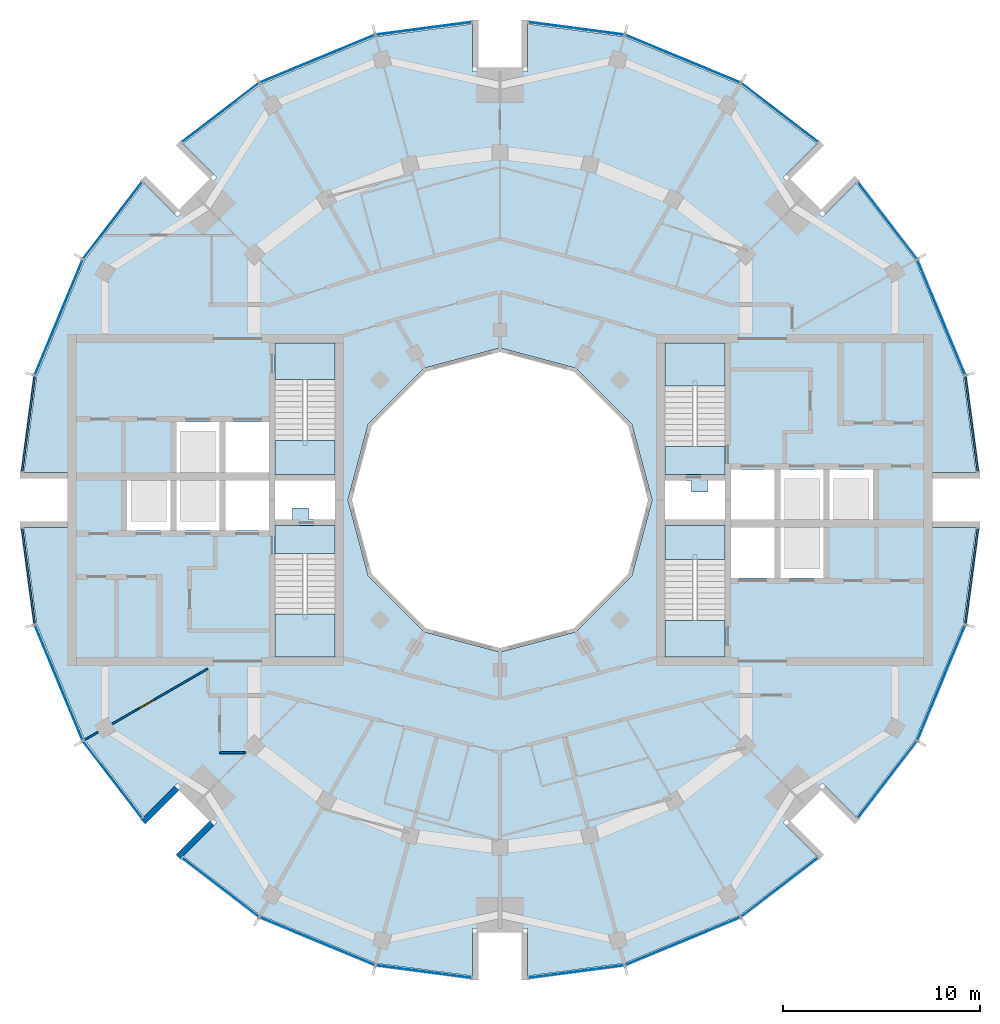
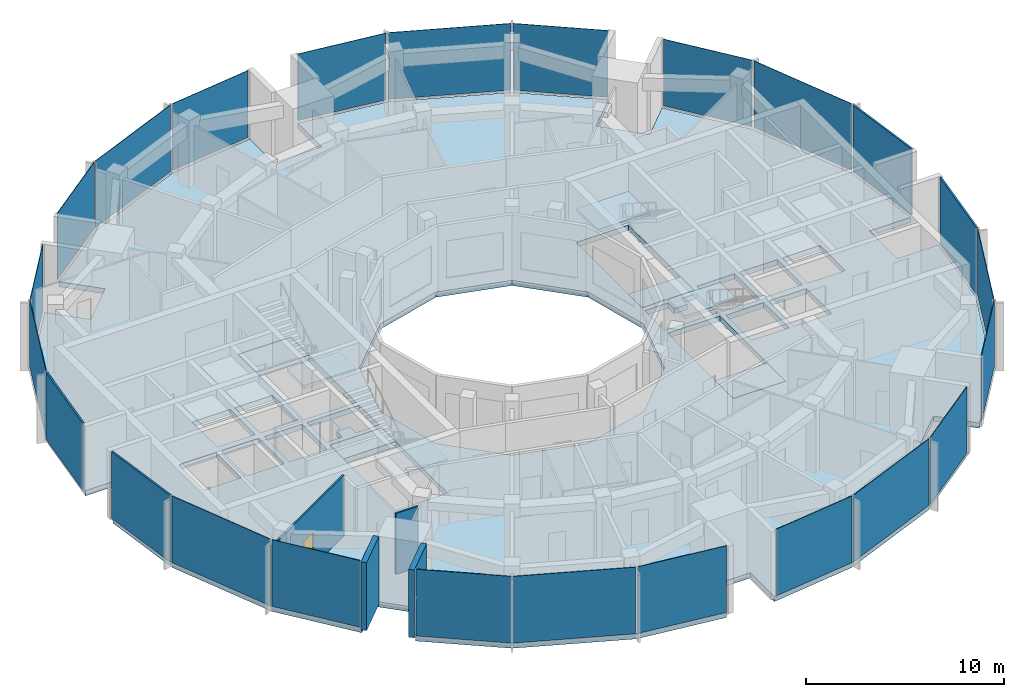
# One storey, part 7 of 15: 24 plates, 9 slabs, 4 walls, 1 door, 1 opening, 28 elements without a shape of their own.
"""IFC4 building model written with IfcOpenShell, lengths in metres."""

from ifc_helpers import new_model, si_unit, direction, frame, frame_2d, origin, origin_2d, place, context, subcontext, project, spatial, polyline, rectangle, outline, extrude, material, layer, layer_set, type_object, element, fill, aggregate, save


model = new_model("IFC4")

# Units and contexts
model_context = context("Model", 3, precision=1e-05, world=origin(), true_north=direction((0.0, 1.0)))
body_context = subcontext(model_context, "Body", "Model", "MODEL_VIEW")
ifc_project = project(units=[si_unit("LENGTHUNIT", "METRE"), si_unit("AREAUNIT", "SQUARE_METRE"), si_unit("VOLUMEUNIT", "CUBIC_METRE"), si_unit("PLANEANGLEUNIT", "RADIAN"), si_unit("MASSUNIT", "GRAM", prefix="KILO")], contexts=[model_context])

# Site, building, storey
site_placement = place(None, origin())
site = spatial("IfcSite", under=ifc_project, at=site_placement, CompositionType="ELEMENT")
building_placement = place(site_placement, origin())
building = spatial("IfcBuilding", under=site, at=building_placement, Name="Torre Brocal", CompositionType="ELEMENT")
storey_placement = place(building_placement, frame((0.0, 0.0, 284.10009765625)))
storey = spatial("IfcBuildingStorey", under=building, at=storey_placement, Name="L65", CompositionType="ELEMENT", Elevation=284.10009765625)

# Curtain wall, plate
ifc_material_1 = material(Name="Aluminium and glass", Category="aluminium")
ifc_layer_1 = layer(ifc_material_1, 0.199951171875)
ifc_layer_set_1 = layer_set([ifc_layer_1], Name="Aluminium and glass")
curtain_wall_type_1 = type_object("IfcCurtainWallType", Name="CW-1 CURTAIN WALL 4200 HIGH", PredefinedType="NOTDEFINED", material=ifc_layer_set_1)
curtain_wall_1_placement = place(storey_placement, origin())
curtain_wall_1 = element("IfcCurtainWall", 1, at=curtain_wall_1_placement, inside=storey, type_object=curtain_wall_type_1, Name="CW-1 RUN 2", PredefinedType="NOTDEFINED")
ifc_material_2 = material(Name="Glass, dark tinted laminated", Category="glass")
ifc_layer_2 = layer(ifc_material_2, 0.031982421875)
ifc_layer_set_2 = layer_set([ifc_layer_2], Name="Glass, dark tinted laminated")
plate_type_1 = type_object("IfcPlateType", Name="CW-1 GLASS PANEL 32", PredefinedType="CURTAIN_PANEL", material=ifc_layer_set_2)
plate_1_placement = place(storey_placement, frame((102.34912109375, 84.25732421875, 0.079833984375), z_axis=(0.0, 0.0, 1.0), x_axis=(-0.382683432462, 0.923879532471, 0.0)))
plate_1 = element("IfcPlate", 2, at=plate_1_placement, type_object=plate_type_1, Name="CW1-5 panel 1.1", PredefinedType="CURTAIN_PANEL", context=body_context, shape_type="SweptSolid", body=[
    extrude(rectangle(XDim=6.24951171875, YDim=0.031982421875, at=origin_2d()), origin(), (0.0, 0.0, 1.0), 4.1201171875),
])
aggregate(curtain_wall_1, [plate_1])

curtain_wall_2_placement = place(storey_placement, origin())
curtain_wall_2 = element("IfcCurtainWall", 3, at=curtain_wall_2_placement, inside=storey, type_object=curtain_wall_type_1, Name="CW-1 RUN 3", PredefinedType="NOTDEFINED")
plate_2_placement = place(storey_placement, frame((99.621337890625, 89.166015625, 0.079833984375), z_axis=(0.0, 0.0, 1.0), x_axis=(-0.608761428939, 0.793353340344, 0.0)))
plate_2 = element("IfcPlate", 4, at=plate_2_placement, type_object=plate_type_1, Name="CW1-5 panel 1.1", PredefinedType="CURTAIN_PANEL", context=body_context, shape_type="SweptSolid", body=[
    extrude(rectangle(XDim=4.83740234375, YDim=0.031982421875, at=origin_2d()), origin(), (0.0, 0.0, 1.0), 4.1201171875),
])
aggregate(curtain_wall_2, [plate_2])

curtain_wall_3_placement = place(storey_placement, origin())
curtain_wall_3 = element("IfcCurtainWall", 5, at=curtain_wall_3_placement, inside=storey, type_object=curtain_wall_type_1, Name="CW-1 RUN 4", PredefinedType="NOTDEFINED")
plate_3_placement = place(storey_placement, frame((94.166015625, 94.621337890625, 0.079833984375), z_axis=(0.0, 0.0, 1.0), x_axis=(-0.793353340344, 0.608761428939, 0.0)))
plate_3 = element("IfcPlate", 6, at=plate_3_placement, type_object=plate_type_1, Name="CW1-5 panel 1.1", PredefinedType="CURTAIN_PANEL", context=body_context, shape_type="SweptSolid", body=[
    extrude(rectangle(XDim=4.83740234375, YDim=0.031982421875, at=origin_2d()), origin(), (0.0, 0.0, 1.0), 4.1201171875),
])
aggregate(curtain_wall_3, [plate_3])

curtain_wall_4_placement = place(storey_placement, origin())
curtain_wall_4 = element("IfcCurtainWall", 7, at=curtain_wall_4_placement, inside=storey, type_object=curtain_wall_type_1, Name="CW-1 RUN 5", PredefinedType="NOTDEFINED")
plate_4_placement = place(storey_placement, frame((89.25732421875, 97.34912109375, 0.079833984375), z_axis=(0.0, 0.0, 1.0), x_axis=(-0.923879532471, 0.382683432462, 0.0)))
plate_4 = element("IfcPlate", 8, at=plate_4_placement, type_object=plate_type_1, Name="CW1-5 panel 1.1", PredefinedType="CURTAIN_PANEL", context=body_context, shape_type="SweptSolid", body=[
    extrude(rectangle(XDim=6.24951171875, YDim=0.031982421875, at=origin_2d()), origin(), (0.0, 0.0, 1.0), 4.1201171875),
])
aggregate(curtain_wall_4, [plate_4])

curtain_wall_5_placement = place(storey_placement, origin())
curtain_wall_5 = element("IfcCurtainWall", 9, at=curtain_wall_5_placement, inside=storey, type_object=curtain_wall_type_1, Name="CW-1 RUN 6", PredefinedType="NOTDEFINED")
plate_5_placement = place(storey_placement, frame((83.857421875, 98.891357421875, 0.079833984375), z_axis=(0.0, 0.0, 1.0), x_axis=(-0.991444861387, 0.130526192116, 0.0)))
plate_5 = element("IfcPlate", 10, at=plate_5_placement, type_object=plate_type_1, Name="CW1-5 panel 1.1", PredefinedType="CURTAIN_PANEL", context=body_context, shape_type="SweptSolid", body=[
    extrude(rectangle(XDim=4.83740234375, YDim=0.031982421875, at=origin_2d()), origin(), (0.0, 0.0, 1.0), 4.1201171875),
])
aggregate(curtain_wall_5, [plate_5])

curtain_wall_6_placement = place(storey_placement, origin())
curtain_wall_6 = element("IfcCurtainWall", 11, at=curtain_wall_6_placement, inside=storey, type_object=curtain_wall_type_1, Name="CW-1 RUN 7", PredefinedType="NOTDEFINED")
plate_6_placement = place(storey_placement, frame((76.142578125, 98.891357421875, 0.079833984375), z_axis=(0.0, 0.0, 1.0), x_axis=(-0.991444861387, -0.130526192116, 0.0)))
plate_6 = element("IfcPlate", 12, at=plate_6_placement, type_object=plate_type_1, Name="CW1-5 panel 1.1", PredefinedType="CURTAIN_PANEL", context=body_context, shape_type="SweptSolid", body=[
    extrude(rectangle(XDim=4.83740234375, YDim=0.031982421875, at=origin_2d()), origin(), (0.0, 0.0, 1.0), 4.1201171875),
])
aggregate(curtain_wall_6, [plate_6])

curtain_wall_7_placement = place(storey_placement, origin())
curtain_wall_7 = element("IfcCurtainWall", 13, at=curtain_wall_7_placement, inside=storey, type_object=curtain_wall_type_1, Name="CW-1 RUN 8", PredefinedType="NOTDEFINED")
plate_7_placement = place(storey_placement, frame((70.74267578125, 97.34912109375, 0.079833984375), z_axis=(0.0, 0.0, 1.0), x_axis=(-0.923879532471, -0.382683432462, 0.0)))
plate_7 = element("IfcPlate", 14, at=plate_7_placement, type_object=plate_type_1, Name="CW1-5 panel 1.1", PredefinedType="CURTAIN_PANEL", context=body_context, shape_type="SweptSolid", body=[
    extrude(rectangle(XDim=6.24951171875, YDim=0.031982421875, at=origin_2d()), origin(), (0.0, 0.0, 1.0), 4.1201171875),
])
aggregate(curtain_wall_7, [plate_7])

curtain_wall_8_placement = place(storey_placement, origin())
curtain_wall_8 = element("IfcCurtainWall", 15, at=curtain_wall_8_placement, inside=storey, type_object=curtain_wall_type_1, Name="CW-1 RUN 9", PredefinedType="NOTDEFINED")
plate_8_placement = place(storey_placement, frame((65.833984375, 94.621337890625, 0.079833984375), z_axis=(0.0, 0.0, 1.0), x_axis=(-0.793353340344, -0.608761428939, 0.0)))
plate_8 = element("IfcPlate", 16, at=plate_8_placement, type_object=plate_type_1, Name="CW1-5 panel 1.1", PredefinedType="CURTAIN_PANEL", context=body_context, shape_type="SweptSolid", body=[
    extrude(rectangle(XDim=4.83740234375, YDim=0.031982421875, at=origin_2d()), origin(), (0.0, 0.0, 1.0), 4.1201171875),
])
aggregate(curtain_wall_8, [plate_8])

curtain_wall_9_placement = place(storey_placement, origin())
curtain_wall_9 = element("IfcCurtainWall", 17, at=curtain_wall_9_placement, inside=storey, type_object=curtain_wall_type_1, Name="CW-1 RUN 10", PredefinedType="NOTDEFINED")
plate_9_placement = place(storey_placement, frame((60.378662109375, 89.166015625, 0.079833984375), z_axis=(0.0, 0.0, 1.0), x_axis=(-0.608761428939, -0.793353340344, 0.0)))
plate_9 = element("IfcPlate", 18, at=plate_9_placement, type_object=plate_type_1, Name="CW1-5 panel 1.1", PredefinedType="CURTAIN_PANEL", context=body_context, shape_type="SweptSolid", body=[
    extrude(rectangle(XDim=4.83740234375, YDim=0.031982421875, at=origin_2d()), origin(), (0.0, 0.0, 1.0), 4.1201171875),
])
aggregate(curtain_wall_9, [plate_9])

curtain_wall_10_placement = place(storey_placement, origin())
curtain_wall_10 = element("IfcCurtainWall", 19, at=curtain_wall_10_placement, inside=storey, type_object=curtain_wall_type_1, Name="CW-1 RUN 11", PredefinedType="NOTDEFINED")
plate_10_placement = place(storey_placement, frame((57.65087890625, 84.25732421875, 0.079833984375), z_axis=(0.0, 0.0, 1.0), x_axis=(-0.382683432462, -0.923879532471, 0.0)))
plate_10 = element("IfcPlate", 20, at=plate_10_placement, type_object=plate_type_1, Name="CW1-5 panel 1.1", PredefinedType="CURTAIN_PANEL", context=body_context, shape_type="SweptSolid", body=[
    extrude(rectangle(XDim=6.24951171875, YDim=0.031982421875, at=origin_2d()), origin(), (0.0, 0.0, 1.0), 4.1201171875),
])
aggregate(curtain_wall_10, [plate_10])

curtain_wall_11_placement = place(storey_placement, origin())
curtain_wall_11 = element("IfcCurtainWall", 21, at=curtain_wall_11_placement, inside=storey, type_object=curtain_wall_type_1, Name="CW-1 RUN 14", PredefinedType="NOTDEFINED")
plate_11_placement = place(storey_placement, frame((57.65087890625, 65.74267578125, 0.079833984375), z_axis=(0.0, 0.0, 1.0), x_axis=(0.382683432462, -0.923879532471, 0.0)))
plate_11 = element("IfcPlate", 22, at=plate_11_placement, type_object=plate_type_1, Name="CW1-5 panel 1.1", PredefinedType="CURTAIN_PANEL", context=body_context, shape_type="SweptSolid", body=[
    extrude(rectangle(XDim=6.24951171875, YDim=0.031982421875, at=origin_2d()), origin(), (0.0, 0.0, 1.0), 4.1201171875),
])
aggregate(curtain_wall_11, [plate_11])

curtain_wall_12_placement = place(storey_placement, origin())
curtain_wall_12 = element("IfcCurtainWall", 23, at=curtain_wall_12_placement, inside=storey, type_object=curtain_wall_type_1, Name="CW-1 RUN 15", PredefinedType="NOTDEFINED")
plate_12_placement = place(storey_placement, frame((60.378662109375, 60.833984375, 0.079833984375), z_axis=(0.0, 0.0, 1.0), x_axis=(0.608761428939, -0.793353340344, 0.0)))
plate_12 = element("IfcPlate", 24, at=plate_12_placement, type_object=plate_type_1, Name="CW1-5 panel 1.1", PredefinedType="CURTAIN_PANEL", context=body_context, shape_type="SweptSolid", body=[
    extrude(rectangle(XDim=4.83740234375, YDim=0.031982421875, at=origin_2d()), origin(), (0.0, 0.0, 1.0), 4.1201171875),
])
aggregate(curtain_wall_12, [plate_12])

curtain_wall_13_placement = place(storey_placement, origin())
curtain_wall_13 = element("IfcCurtainWall", 25, at=curtain_wall_13_placement, inside=storey, type_object=curtain_wall_type_1, Name="CW-1 RUN 16", PredefinedType="NOTDEFINED")
plate_13_placement = place(storey_placement, frame((65.833984375, 55.378662109375, 0.079833984375), z_axis=(0.0, 0.0, 1.0), x_axis=(0.793353340344, -0.608761428939, 0.0)))
plate_13 = element("IfcPlate", 26, at=plate_13_placement, type_object=plate_type_1, Name="CW1-5 panel 1.1", PredefinedType="CURTAIN_PANEL", context=body_context, shape_type="SweptSolid", body=[
    extrude(rectangle(XDim=4.83740234375, YDim=0.031982421875, at=origin_2d()), origin(), (0.0, 0.0, 1.0), 4.1201171875),
])
aggregate(curtain_wall_13, [plate_13])

curtain_wall_14_placement = place(storey_placement, origin())
curtain_wall_14 = element("IfcCurtainWall", 27, at=curtain_wall_14_placement, inside=storey, type_object=curtain_wall_type_1, Name="CW-1 RUN 17", PredefinedType="NOTDEFINED")
plate_14_placement = place(storey_placement, frame((70.74267578125, 52.65087890625, 0.079833984375), z_axis=(0.0, 0.0, 1.0), x_axis=(0.923879532471, -0.382683432462, 0.0)))
plate_14 = element("IfcPlate", 28, at=plate_14_placement, type_object=plate_type_1, Name="CW1-5 panel 1.1", PredefinedType="CURTAIN_PANEL", context=body_context, shape_type="SweptSolid", body=[
    extrude(rectangle(XDim=6.24951171875, YDim=0.031982421875, at=origin_2d()), origin(), (0.0, 0.0, 1.0), 4.1201171875),
])
aggregate(curtain_wall_14, [plate_14])

curtain_wall_15_placement = place(storey_placement, origin())
curtain_wall_15 = element("IfcCurtainWall", 29, at=curtain_wall_15_placement, inside=storey, type_object=curtain_wall_type_1, Name="CW-1 RUN 18", PredefinedType="NOTDEFINED")
plate_15_placement = place(storey_placement, frame((76.142578125, 51.108642578125, 0.079833984375), z_axis=(0.0, 0.0, 1.0), x_axis=(0.991444861387, -0.130526192116, 0.0)))
plate_15 = element("IfcPlate", 30, at=plate_15_placement, type_object=plate_type_1, Name="CW1-5 panel 1.1", PredefinedType="CURTAIN_PANEL", context=body_context, shape_type="SweptSolid", body=[
    extrude(rectangle(XDim=4.83740234375, YDim=0.031982421875, at=origin_2d()), origin(), (0.0, 0.0, 1.0), 4.1201171875),
])
aggregate(curtain_wall_15, [plate_15])

curtain_wall_16_placement = place(storey_placement, origin())
curtain_wall_16 = element("IfcCurtainWall", 31, at=curtain_wall_16_placement, inside=storey, type_object=curtain_wall_type_1, Name="CW-1 RUN 19", PredefinedType="NOTDEFINED")
plate_16_placement = place(storey_placement, frame((83.857421875, 51.108642578125, 0.079833984375), z_axis=(0.0, 0.0, 1.0), x_axis=(0.991444861387, 0.130526192116, 0.0)))
plate_16 = element("IfcPlate", 32, at=plate_16_placement, type_object=plate_type_1, Name="CW1-5 panel 1.1", PredefinedType="CURTAIN_PANEL", context=body_context, shape_type="SweptSolid", body=[
    extrude(rectangle(XDim=4.83740234375, YDim=0.031982421875, at=origin_2d()), origin(), (0.0, 0.0, 1.0), 4.1201171875),
])
aggregate(curtain_wall_16, [plate_16])

curtain_wall_17_placement = place(storey_placement, origin())
curtain_wall_17 = element("IfcCurtainWall", 33, at=curtain_wall_17_placement, inside=storey, type_object=curtain_wall_type_1, Name="CW-1 RUN 20", PredefinedType="NOTDEFINED")
plate_17_placement = place(storey_placement, frame((89.25732421875, 52.65087890625, 0.079833984375), z_axis=(0.0, 0.0, 1.0), x_axis=(0.923879532471, 0.382683432462, 0.0)))
plate_17 = element("IfcPlate", 34, at=plate_17_placement, type_object=plate_type_1, Name="CW1-5 panel 1.1", PredefinedType="CURTAIN_PANEL", context=body_context, shape_type="SweptSolid", body=[
    extrude(rectangle(XDim=6.24951171875, YDim=0.031982421875, at=origin_2d()), origin(), (0.0, 0.0, 1.0), 4.1201171875),
])
aggregate(curtain_wall_17, [plate_17])

curtain_wall_18_placement = place(storey_placement, origin())
curtain_wall_18 = element("IfcCurtainWall", 35, at=curtain_wall_18_placement, inside=storey, type_object=curtain_wall_type_1, Name="CW-1 RUN 21", PredefinedType="NOTDEFINED")
plate_18_placement = place(storey_placement, frame((94.166015625, 55.378662109375, 0.079833984375), z_axis=(0.0, 0.0, 1.0), x_axis=(0.793353340344, 0.608761428939, 0.0)))
plate_18 = element("IfcPlate", 36, at=plate_18_placement, type_object=plate_type_1, Name="CW1-5 panel 1.1", PredefinedType="CURTAIN_PANEL", context=body_context, shape_type="SweptSolid", body=[
    extrude(rectangle(XDim=4.83740234375, YDim=0.031982421875, at=origin_2d()), origin(), (0.0, 0.0, 1.0), 4.1201171875),
])
aggregate(curtain_wall_18, [plate_18])

curtain_wall_19_placement = place(storey_placement, origin())
curtain_wall_19 = element("IfcCurtainWall", 37, at=curtain_wall_19_placement, inside=storey, type_object=curtain_wall_type_1, Name="CW-1 RUN 22", PredefinedType="NOTDEFINED")
plate_19_placement = place(storey_placement, frame((99.621337890625, 60.833984375, 0.079833984375), z_axis=(0.0, 0.0, 1.0), x_axis=(0.608761428939, 0.793353340344, 0.0)))
plate_19 = element("IfcPlate", 38, at=plate_19_placement, type_object=plate_type_1, Name="CW1-5 panel 1.1", PredefinedType="CURTAIN_PANEL", context=body_context, shape_type="SweptSolid", body=[
    extrude(rectangle(XDim=4.83740234375, YDim=0.031982421875, at=origin_2d()), origin(), (0.0, 0.0, 1.0), 4.1201171875),
])
aggregate(curtain_wall_19, [plate_19])

curtain_wall_20_placement = place(storey_placement, origin())
curtain_wall_20 = element("IfcCurtainWall", 39, at=curtain_wall_20_placement, inside=storey, type_object=curtain_wall_type_1, Name="CW-1 RUN 23", PredefinedType="NOTDEFINED")
plate_20_placement = place(storey_placement, frame((102.34912109375, 65.74267578125, 0.079833984375), z_axis=(0.0, 0.0, 1.0), x_axis=(0.382683432462, 0.923879532471, 0.0)))
plate_20 = element("IfcPlate", 40, at=plate_20_placement, type_object=plate_type_1, Name="CW1-5 panel 1.1", PredefinedType="CURTAIN_PANEL", context=body_context, shape_type="SweptSolid", body=[
    extrude(rectangle(XDim=6.24951171875, YDim=0.031982421875, at=origin_2d()), origin(), (0.0, 0.0, 1.0), 4.1201171875),
])
aggregate(curtain_wall_20, [plate_20])

ifc_material_3 = material(Name="Aluminium and glass", Category="aluminium")
ifc_layer_3 = layer(ifc_material_3, 0.199951171875)
ifc_layer_set_3 = layer_set([ifc_layer_3], Name="Aluminium and glass")
curtain_wall_type_2 = type_object("IfcCurtainWallType", Name="CW-1B CURTAIN WALL 4200 HIGH", PredefinedType="NOTDEFINED", material=ifc_layer_set_3)
curtain_wall_21_placement = place(storey_placement, origin())
curtain_wall_21 = element("IfcCurtainWall", 41, at=curtain_wall_21_placement, inside=storey, type_object=curtain_wall_type_2, Name="CW-1B RUN 1", PredefinedType="NOTDEFINED")
ifc_material_4 = material(Name="Aluminium composite panel", Category="aluminium")
ifc_layer_4 = layer(ifc_material_4, 0.10009765625)
ifc_layer_set_4 = layer_set([ifc_layer_4], Name="Aluminium composite panel")
plate_type_2 = type_object("IfcPlateType", Name="CW-1B OPAQUE PANEL 100", PredefinedType="CURTAIN_PANEL", material=ifc_layer_set_4)
plate_21_placement = place(storey_placement, frame((103.891357421875, 78.857421875, 0.079833984375), z_axis=(0.0, 0.0, 1.0), x_axis=(-0.130526192116, 0.991444861387, 0.0)))
plate_21 = element("IfcPlate", 42, at=plate_21_placement, type_object=plate_type_2, Name="CW1B-5 panel 1.1", PredefinedType="CURTAIN_PANEL", context=body_context, shape_type="SweptSolid", body=[
    extrude(rectangle(XDim=4.83740234375, YDim=0.10009765625, at=origin_2d()), origin(), (0.0, 0.0, 1.0), 4.1201171875),
])
aggregate(curtain_wall_21, [plate_21])

curtain_wall_22_placement = place(storey_placement, origin())
curtain_wall_22 = element("IfcCurtainWall", 43, at=curtain_wall_22_placement, inside=storey, type_object=curtain_wall_type_2, Name="CW-1B RUN 12", PredefinedType="NOTDEFINED")
plate_22_placement = place(storey_placement, frame((56.108642578125, 78.857421875, 0.079833984375), z_axis=(0.0, 0.0, 1.0), x_axis=(-0.130526192116, -0.991444861387, 0.0)))
plate_22 = element("IfcPlate", 44, at=plate_22_placement, type_object=plate_type_2, Name="CW1B-5 panel 1.1", PredefinedType="CURTAIN_PANEL", context=body_context, shape_type="SweptSolid", body=[
    extrude(rectangle(XDim=4.83740234375, YDim=0.10009765625, at=origin_2d()), origin(), (0.0, 0.0, 1.0), 4.1201171875),
])
aggregate(curtain_wall_22, [plate_22])

curtain_wall_23_placement = place(storey_placement, origin())
curtain_wall_23 = element("IfcCurtainWall", 45, at=curtain_wall_23_placement, inside=storey, type_object=curtain_wall_type_2, Name="CW-1B RUN 13", PredefinedType="NOTDEFINED")
plate_23_placement = place(storey_placement, frame((56.108642578125, 71.142578125, 0.079833984375), z_axis=(0.0, 0.0, 1.0), x_axis=(0.130526192116, -0.991444861387, 0.0)))
plate_23 = element("IfcPlate", 46, at=plate_23_placement, type_object=plate_type_2, Name="CW1B-5 panel 1.1", PredefinedType="CURTAIN_PANEL", context=body_context, shape_type="SweptSolid", body=[
    extrude(rectangle(XDim=4.83740234375, YDim=0.10009765625, at=origin_2d()), origin(), (0.0, 0.0, 1.0), 4.1201171875),
])
aggregate(curtain_wall_23, [plate_23])

curtain_wall_24_placement = place(storey_placement, origin())
curtain_wall_24 = element("IfcCurtainWall", 47, at=curtain_wall_24_placement, inside=storey, type_object=curtain_wall_type_2, Name="CW-1B RUN 24", PredefinedType="NOTDEFINED")
plate_24_placement = place(storey_placement, frame((103.891357421875, 71.142578125, 0.079833984375), z_axis=(0.0, 0.0, 1.0), x_axis=(0.130526192116, 0.991444861387, 0.0)))
plate_24 = element("IfcPlate", 48, at=plate_24_placement, type_object=plate_type_2, Name="CW1B-5 panel 1.1", PredefinedType="CURTAIN_PANEL", context=body_context, shape_type="SweptSolid", body=[
    extrude(rectangle(XDim=4.83740234375, YDim=0.10009765625, at=origin_2d()), origin(), (0.0, 0.0, 1.0), 4.1201171875),
])
aggregate(curtain_wall_24, [plate_24])

# Stair, slab
ifc_material_5 = material(Name="Concrete C50", Category="concrete")
stair_type = type_object("IfcStairType", Name="EXIT STAIR", PredefinedType="HALF_TURN_STAIR", material=ifc_material_5)
stair_1_placement = place(storey_placement, origin())
stair_1 = element("IfcStair", 49, at=stair_1_placement, inside=storey, type_object=stair_type, Name="EXIT STAIR ST1", PredefinedType="HALF_TURN_STAIR")
ifc_material_6 = material(Name="Concrete C50", Category="concrete")
ifc_layer_5 = layer(ifc_material_6, 0.320068359375)
ifc_layer_set_5 = layer_set([ifc_layer_5], Name="Concrete C50")
slab_type_1 = type_object("IfcSlabType", Name="FLOOR LANDING 320", PredefinedType="LANDING", material=ifc_layer_set_5)
slab_1_placement = place(storey_placement, frame((0.0, 0.0, -0.320068359375)))
slab_1 = element("IfcSlab", 50, at=slab_1_placement, type_object=slab_type_1, Name="ST1 landing 1", PredefinedType="LANDING", context=body_context, shape_type="SweptSolid", body=[
    extrude(outline(polyline([(88.35009765625, 76.300048828125), (91.39990234375, 76.300048828125), (91.39990234375, 77.699951171875), (88.35009765625, 77.699951171875), (88.35009765625, 76.300048828125)])), origin(), (0.0, 0.0, 1.0), 0.320068359375),
])

stair_2_placement = place(storey_placement, origin())
stair_2 = element("IfcStair", 51, at=stair_2_placement, inside=storey, type_object=stair_type, Name="EXIT STAIR ST2", PredefinedType="HALF_TURN_STAIR")
slab_2_placement = place(storey_placement, frame((0.0, 0.0, -0.320068359375)))
slab_2 = element("IfcSlab", 52, at=slab_2_placement, type_object=slab_type_1, Name="ST2 landing 1", PredefinedType="LANDING", context=body_context, shape_type="SweptSolid", body=[
    extrude(outline(polyline([(88.35009765625, 67.050048828125), (91.39990234375, 67.050048828125), (91.39990234375, 68.89990234375), (88.35009765625, 68.89990234375), (88.35009765625, 67.050048828125)])), origin(), (0.0, 0.0, 1.0), 0.320068359375),
])

stair_3_placement = place(storey_placement, origin())
stair_3 = element("IfcStair", 53, at=stair_3_placement, inside=storey, type_object=stair_type, Name="EXIT STAIR ST3", PredefinedType="HALF_TURN_STAIR")
slab_3_placement = place(storey_placement, frame((0.0, 0.0, -0.320068359375)))
slab_3 = element("IfcSlab", 54, at=slab_3_placement, type_object=slab_type_1, Name="ST3 landing 1", PredefinedType="LANDING", context=body_context, shape_type="SweptSolid", body=[
    extrude(outline(polyline([(71.64990234375, 73.699951171875), (68.60009765625, 73.699951171875), (68.60009765625, 72.300048828125), (71.64990234375, 72.300048828125), (71.64990234375, 73.699951171875)])), origin(), (0.0, 0.0, 1.0), 0.320068359375),
])

stair_4_placement = place(storey_placement, origin())
stair_4 = element("IfcStair", 55, at=stair_4_placement, inside=storey, type_object=stair_type, Name="EXIT STAIR ST4", PredefinedType="HALF_TURN_STAIR")
slab_4_placement = place(storey_placement, frame((0.0, 0.0, -0.320068359375)))
slab_4 = element("IfcSlab", 56, at=slab_4_placement, type_object=slab_type_1, Name="ST4 landing 1", PredefinedType="LANDING", context=body_context, shape_type="SweptSolid", body=[
    extrude(outline(polyline([(71.64990234375, 82.949951171875), (68.60009765625, 82.949951171875), (68.60009765625, 81.10009765625), (71.64990234375, 81.10009765625), (71.64990234375, 82.949951171875)])), origin(), (0.0, 0.0, 1.0), 0.320068359375),
])

# Slab
ifc_material_7 = material(Name="Concrete C50", Category="concrete")
ifc_layer_6 = layer(ifc_material_7, 0.199951171875)
ifc_layer_set_6 = layer_set([ifc_layer_6], Name="Concrete C50")
slab_type_2 = type_object("IfcSlabType", Name="MID LANDING +2100", PredefinedType="LANDING", material=ifc_layer_set_6)
slab_5_placement = place(storey_placement, frame((0.0, 0.0, 1.89990234375)))
slab_5 = element("IfcSlab", 57, at=slab_5_placement, type_object=slab_type_2, Name="ST1 landing 2", PredefinedType="LANDING", context=body_context, shape_type="SweptSolid", body=[
    extrude(outline(polyline([(88.35009765625, 80.780029296875), (91.39990234375, 80.780029296875), (91.39990234375, 82.949951171875), (88.35009765625, 82.949951171875), (88.35009765625, 80.780029296875)])), origin(), (0.0, 0.0, 1.0), 0.199951171875),
])

aggregate(stair_1, [slab_1, slab_5])

slab_6_placement = place(storey_placement, frame((0.0, 0.0, 1.89990234375)))
slab_6 = element("IfcSlab", 58, at=slab_6_placement, type_object=slab_type_2, Name="ST2 landing 2", PredefinedType="LANDING", context=body_context, shape_type="SweptSolid", body=[
    extrude(outline(polyline([(88.35009765625, 71.97998046875), (91.39990234375, 71.97998046875), (91.39990234375, 73.699951171875), (88.35009765625, 73.699951171875), (88.35009765625, 71.97998046875)])), origin(), (0.0, 0.0, 1.0), 0.199951171875),
])

aggregate(stair_2, [slab_2, slab_6])

slab_7_placement = place(storey_placement, frame((0.0, 0.0, 1.89990234375)))
slab_7 = element("IfcSlab", 59, at=slab_7_placement, type_object=slab_type_2, Name="ST3 landing 2", PredefinedType="LANDING", context=body_context, shape_type="SweptSolid", body=[
    extrude(outline(polyline([(71.64990234375, 69.219970703125), (68.60009765625, 69.219970703125), (68.60009765625, 67.050048828125), (71.64990234375, 67.050048828125), (71.64990234375, 69.219970703125)])), origin(), (0.0, 0.0, 1.0), 0.199951171875),
])

aggregate(stair_3, [slab_3, slab_7])

slab_8_placement = place(storey_placement, frame((0.0, 0.0, 1.89990234375)))
slab_8 = element("IfcSlab", 60, at=slab_8_placement, type_object=slab_type_2, Name="ST4 landing 2", PredefinedType="LANDING", context=body_context, shape_type="SweptSolid", body=[
    extrude(outline(polyline([(71.64990234375, 78.02001953125), (68.60009765625, 78.02001953125), (68.60009765625, 76.300048828125), (71.64990234375, 76.300048828125), (71.64990234375, 78.02001953125)])), origin(), (0.0, 0.0, 1.0), 0.199951171875),
])

aggregate(stair_4, [slab_4, slab_8])

ifc_material_8 = material(Name="Concrete C45", Category="concrete")
ifc_layer_7 = layer(ifc_material_8, 0.320068359375)
ifc_layer_set_7 = layer_set([ifc_layer_7], Name="Concrete C45")
slab_type_3 = type_object("IfcSlabType", Name="PT FLOOR SLAB 320 C45", PredefinedType="FLOOR", material=ifc_layer_set_7)
slab_9_placement = place(storey_placement, frame((0.0, 0.0, -0.320068359375)))
element("IfcSlab", 61, at=slab_9_placement, inside=storey, type_object=slab_type_3, Name="Slab ST-05", PredefinedType="FLOOR", context=body_context, shape_type="SweptSolid", body=[
    extrude(outline(polyline([(101.699951171875, 76.39990234375), (101.699951171875, 73.60009765625), (104.114013671875, 73.60009765625), (103.47021484375, 68.711181640625), (101.04296875, 62.850830078125), (98.041015625, 58.938720703125), (96.334228515625, 60.645751953125), (94.354248046875, 58.665771484375), (96.061279296875, 56.958984375), (92.149169921875, 53.95703125), (86.288818359375, 51.52978515625), (81.39990234375, 50.885986328125), (81.39990234375, 53.300048828125), (78.60009765625, 53.300048828125), (78.60009765625, 50.885986328125), (73.711181640625, 51.52978515625), (67.850830078125, 53.95703125), (63.938720703125, 56.958984375), (65.645751953125, 58.665771484375), (63.665771484375, 60.645751953125), (61.958984375, 58.938720703125), (58.95703125, 62.850830078125), (56.52978515625, 68.711181640625), (55.885986328125, 73.60009765625), (58.300048828125, 73.60009765625), (58.300048828125, 76.39990234375), (55.885986328125, 76.39990234375), (56.52978515625, 81.288818359375), (58.95703125, 87.149169921875), (61.958984375, 91.061279296875), (63.665771484375, 89.354248046875), (65.645751953125, 91.334228515625), (63.938720703125, 93.041015625), (67.850830078125, 96.04296875), (73.711181640625, 98.47021484375), (78.60009765625, 99.114013671875), (78.60009765625, 96.699951171875), (81.39990234375, 96.699951171875), (81.39990234375, 99.114013671875), (86.288818359375, 98.47021484375), (92.149169921875, 96.04296875), (96.061279296875, 93.041015625), (94.354248046875, 91.334228515625), (96.334228515625, 89.354248046875), (98.041015625, 91.061279296875), (101.04296875, 87.149169921875), (103.47021484375, 81.288818359375), (104.114013671875, 76.39990234375), (101.699951171875, 76.39990234375)]), holes=[polyline([(98.89990234375, 76.550048828125), (96.699951171875, 76.550048828125), (96.699951171875, 74.0), (98.89990234375, 74.0), (98.89990234375, 76.550048828125)]), polyline([(96.39990234375, 76.550048828125), (94.199951171875, 76.550048828125), (94.199951171875, 74.0), (96.39990234375, 74.0), (96.39990234375, 76.550048828125)]), polyline([(96.39990234375, 73.60009765625), (94.199951171875, 73.60009765625), (94.199951171875, 71.050048828125), (96.39990234375, 71.050048828125), (96.39990234375, 73.60009765625)]), polyline([(93.89990234375, 76.550048828125), (91.699951171875, 76.550048828125), (91.699951171875, 74.0), (93.89990234375, 74.0), (93.89990234375, 76.550048828125)]), polyline([(93.89990234375, 73.60009765625), (91.699951171875, 73.60009765625), (91.699951171875, 71.050048828125), (93.89990234375, 71.050048828125), (93.89990234375, 73.60009765625)]), polyline([(89.699951171875, 76.0), (88.35009765625, 76.0), (88.35009765625, 74.0), (91.39990234375, 74.0), (91.39990234375, 76.0), (90.5, 76.0), (90.5, 75.39990234375), (89.699951171875, 75.39990234375), (89.699951171875, 76.0)]), polyline([(91.39990234375, 82.949951171875), (88.35009765625, 82.949951171875), (88.35009765625, 76.300048828125), (91.39990234375, 76.300048828125), (91.39990234375, 82.949951171875)]), polyline([(91.39990234375, 73.699951171875), (88.35009765625, 73.699951171875), (88.35009765625, 67.050048828125), (91.39990234375, 67.050048828125), (91.39990234375, 73.699951171875)]), polyline([(80.0, 82.70703125), (76.146484375, 81.674560546875), (73.325439453125, 78.853515625), (72.29296875, 75.0), (73.325439453125, 71.146484375), (76.146484375, 68.325439453125), (80.0, 67.29296875), (83.853515625, 68.325439453125), (86.674560546875, 71.146484375), (87.70703125, 75.0), (86.674560546875, 78.853515625), (83.853515625, 81.674560546875), (80.0, 82.70703125)]), polyline([(70.300048828125, 74.0), (71.64990234375, 74.0), (71.64990234375, 76.0), (68.60009765625, 76.0), (68.60009765625, 74.0), (69.5, 74.0), (69.5, 74.60009765625), (70.300048828125, 74.60009765625), (70.300048828125, 74.0)]), polyline([(68.60009765625, 76.300048828125), (71.64990234375, 76.300048828125), (71.64990234375, 82.949951171875), (68.60009765625, 82.949951171875), (68.60009765625, 76.300048828125)]), polyline([(68.60009765625, 67.050048828125), (71.64990234375, 67.050048828125), (71.64990234375, 73.699951171875), (68.60009765625, 73.699951171875), (68.60009765625, 67.050048828125)]), polyline([(66.10009765625, 76.39990234375), (68.300048828125, 76.39990234375), (68.300048828125, 78.949951171875), (66.10009765625, 78.949951171875), (66.10009765625, 76.39990234375)]), polyline([(66.10009765625, 73.449951171875), (68.300048828125, 73.449951171875), (68.300048828125, 76.0), (66.10009765625, 76.0), (66.10009765625, 73.449951171875)]), polyline([(63.60009765625, 76.39990234375), (65.800048828125, 76.39990234375), (65.800048828125, 78.949951171875), (63.60009765625, 78.949951171875), (63.60009765625, 76.39990234375)]), polyline([(63.60009765625, 73.449951171875), (65.800048828125, 73.449951171875), (65.800048828125, 76.0), (63.60009765625, 76.0), (63.60009765625, 73.449951171875)]), polyline([(61.10009765625, 73.449951171875), (63.300048828125, 73.449951171875), (63.300048828125, 76.0), (61.10009765625, 76.0), (61.10009765625, 73.449951171875)])]), origin(), (0.0, 0.0, 1.0), 0.320068359375),
])

# Walls
ifc_material_9 = material(Name="Concrete C50", Category="concrete")
ifc_layer_8 = layer(ifc_material_9, 0.300048828125)
ifc_layer_set_8 = layer_set([ifc_layer_8], Name="Concrete C50")
wall_type_1 = type_object("IfcWallType", Name="NOTCH RETURN WALL 300 C50", PredefinedType="NOTDEFINED", material=ifc_layer_set_8)
for number, where, z_axis, x_axis, name in (
    (62, (63.63037109375, 60.398193359375, 0.0), (0.0, 0.0, 1.0), (-0.707106781187, -0.707106781187, 0.0), "NOTCH RETURN WALL"),
    (63, (65.398193359375, 58.63037109375, 0.0), (0.0, 0.0, 1.0), (-0.707106781187, -0.707106781187, 0.0), "NOTCH RETURN WALL"),
):
    element("IfcWall", number, at=place(storey_placement, frame(where, z_axis=z_axis, x_axis=x_axis)), inside=storey, type_object=wall_type_1, Name=name, PredefinedType="NOTDEFINED", context=body_context, shape_type="SweptSolid", body=[
        extrude(rectangle(XDim=2.41552734375, YDim=0.300048828125, at=frame_2d((1.207763671875, 0.0))), origin(), (0.0, 0.0, 1.0), 4.199951171875),
    ])

# Wall, opening, door
ifc_material_10 = material(Name="Gypsum board", Category="Gypsum")
ifc_layer_9 = layer(ifc_material_10, 0.10009765625)
ifc_layer_set_9 = layer_set([ifc_layer_9], Name="Gypsum board")
wall_type_2 = type_object("IfcWallType", Name="PARTITION 100", PredefinedType="PARTITIONING", material=ifc_layer_set_9)
wall_1_placement = place(storey_placement, frame((58.95751953125, 62.851318359375, 0.0), z_axis=(0.0, 0.0, 1.0), x_axis=(0.866044015472, 0.499967762227, 0.0)))
wall_1 = element("IfcWall", 64, at=wall_1_placement, inside=storey, type_object=wall_type_2, Name="ROOM PARTITION", PredefinedType="PARTITIONING", context=body_context, shape_type="SweptSolid", body=[
    extrude(rectangle(XDim=7.2080078125, YDim=0.10009765625, at=frame_2d((3.60400390625, 0.0))), origin(), (0.0, 0.0, 1.0), 3.75),
])
opening_placement = place(wall_1_placement, frame((3.178955078125, 0.0, 0.0)))
opening = element("IfcOpeningElement", 65, at=opening_placement, cuts=wall_1, Name="Opening N01-D40", PredefinedType="OPENING", context=body_context, shape_type="SweptSolid", body=[
    extrude(rectangle(XDim=0.89990234375, YDim=2.10009765625, at=frame_2d((0.449951171875, 1.050048828125))), frame((0.0, 0.06005859375, 0.0), z_axis=(0.0, -1.0, 0.0), x_axis=(1.0, 0.0, 0.0)), (0.0, 0.0, 1.0), 0.1201171875),
])
ifc_material_11 = material(Name="Timber", Category="wood")
door_type = type_object("IfcDoorType", Name="ROOM DOOR 900X2100", OperationType="SINGLE_SWING_LEFT", PredefinedType="DOOR", material=ifc_material_11)
door_placement = place(opening_placement, origin())
door = element("IfcDoor", 66, at=door_placement, inside=storey, type_object=door_type, Name="N01-D40", OperationType="SINGLE_SWING_RIGHT", OverallHeight=2.10009765625, OverallWidth=0.89990234375, PredefinedType="DOOR", context=body_context, shape_type="SweptSolid", body=[
    extrude(rectangle(XDim=0.89990234375, YDim=2.10009765625, at=frame_2d((0.449951171875, 1.050048828125))), frame((0.0, 0.02490234375, 0.0), z_axis=(0.0, -1.0, 0.0), x_axis=(1.0, 0.0, 0.0)), (0.0, 0.0, 1.0), 0.050048828125),
])
fill(opening, door)

# Wall
wall_2_placement = place(storey_placement, frame((65.800048828125, 62.199951171875, 0.0), z_axis=(0.0, 0.0, 1.0), x_axis=(1.0, 0.0, 0.0)))
element("IfcWall", 67, at=wall_2_placement, inside=storey, type_object=wall_type_2, Name="BATHROOM WALL", PredefinedType="PARTITIONING", context=body_context, shape_type="SweptSolid", body=[
    extrude(rectangle(XDim=1.2900390625, YDim=0.10009765625, at=frame_2d((0.64501953125, 0.0))), origin(), (0.0, 0.0, 1.0), 3.75),
])

save(model, "model.ifc")
